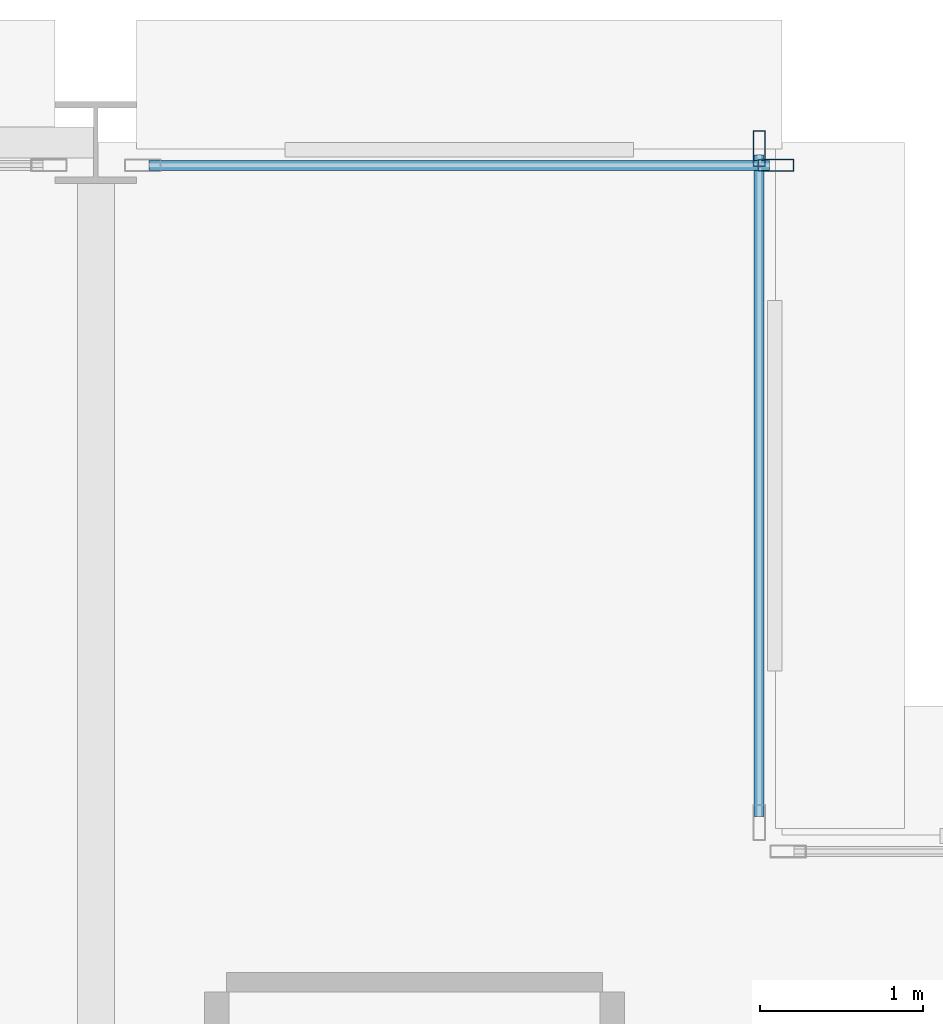
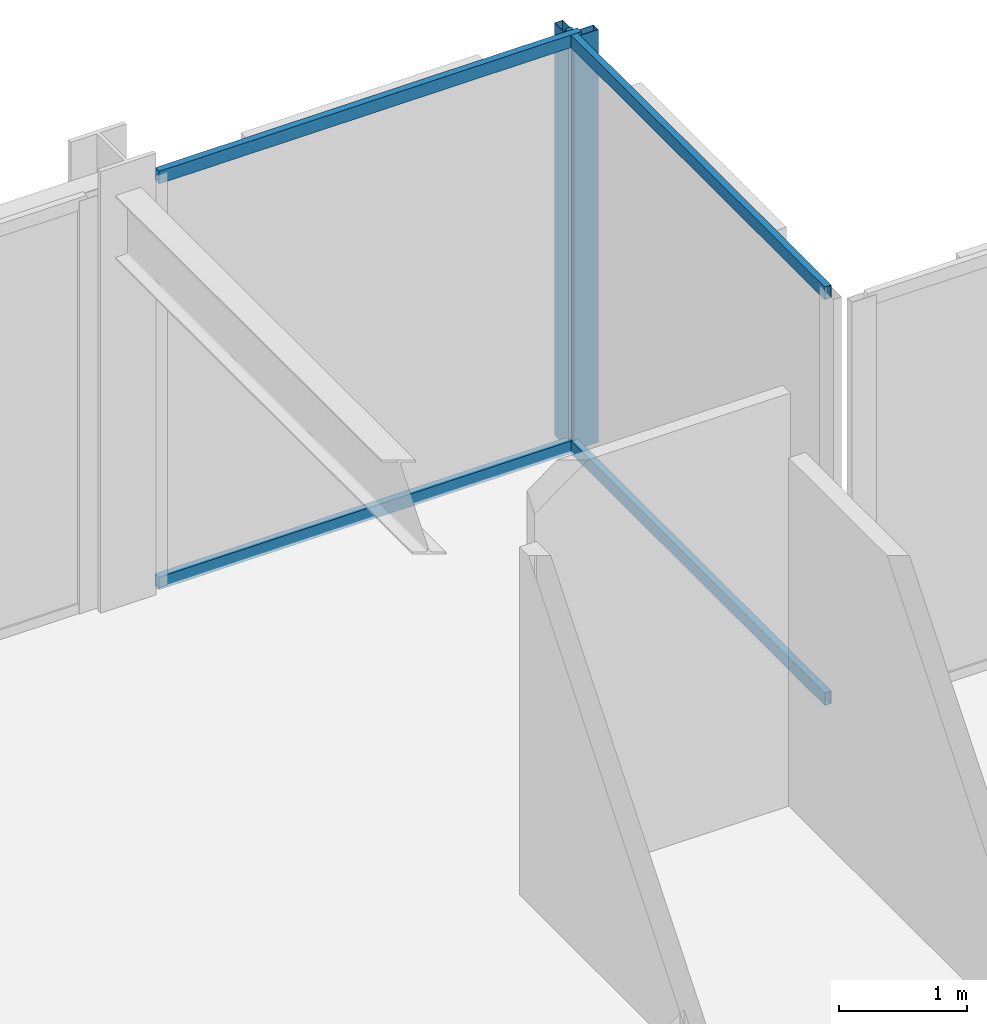
# One storey, part 18 of 25: 6 members, 2 elements without a shape of their own.
"""IFC4 building model written with IfcOpenShell, lengths in metres."""

import ifcopenshell
import ifcopenshell.guid

model = None  # the IFC model being written
_history = None  # IfcOwnerHistory: only IFC2X3 demands one
_inside = {}  # id of a spatial element -> (the spatial element, [elements in it])
_under = {}  # id of a project, library or spatial element -> (it, [spatial elements below it])
_declared = {}  # id of a project -> (the project, [libraries it declares])
_typed = {}  # id of a type object -> (the type object, [elements of that type])
_made_of = {}  # id of a material, layer set ... -> (it, [elements and type objects made of it])


def new_model(schema):
    """Start an empty IFC model of exactly this schema.

    Asked for "IFC4X3", IfcOpenShell would pick the latest addendum, in which some entities
    have other attributes; the version numbers below select the first issue.
    IFC2X3 requires an IfcOwnerHistory on every rooted entity: one is made here for all.
    """
    global model, _history
    if schema == "IFC4X3":
        model = ifcopenshell.file(schema_version=(4, 3, 0, 0))
    else:
        model = ifcopenshell.file(schema=schema)
    _inside.clear()
    _under.clear()
    _declared.clear()
    _typed.clear()
    _made_of.clear()
    _history = None
    if model.schema == "IFC2X3":
        org = make("IfcOrganization", Name="unknown")
        user = make(
            "IfcPersonAndOrganization",
            ThePerson=make("IfcPerson", FamilyName="unknown"),
            TheOrganization=org,
        )
        app = make(
            "IfcApplication",
            ApplicationDeveloper=org,
            Version="unknown",
            ApplicationFullName="unknown",
            ApplicationIdentifier="unknown",
        )
        _history = make(
            "IfcOwnerHistory",
            OwningUser=user,
            OwningApplication=app,
            ChangeAction="ADDED",
            CreationDate=0,
        )
    return model


def make(cls, **values):
    """One entity of the class cls with the attributes given. An attribute that is None is left unset."""
    return model.create_entity(
        cls, **{name: value for name, value in values.items() if value is not None}
    )


def rooted(cls, **values):
    """An entity with a GlobalId (a new one), such as an element, a storey or a relation."""
    return make(cls, GlobalId=ifcopenshell.guid.new(), OwnerHistory=_history, **values)


def si_unit(unit_type, name, prefix=None):
    """IfcSIUnit, for example si_unit("LENGTHUNIT", "METRE", prefix="MILLI")."""
    return make("IfcSIUnit", UnitType=unit_type, Prefix=prefix, Name=name)


def assignment(units):
    """IfcUnitAssignment: the units of a project."""
    return None if units is None else make("IfcUnitAssignment", Units=units)


def point(xyz):
    """IfcCartesianPoint."""
    return None if xyz is None else make("IfcCartesianPoint", Coordinates=xyz)


def direction(xyz):
    """IfcDirection."""
    return None if xyz is None else make("IfcDirection", DirectionRatios=xyz)


def frame(location, z_axis=None, x_axis=None):
    """IfcAxis2Placement3D, a coordinate frame: its origin and axes. An axis left out is left unset."""
    return make(
        "IfcAxis2Placement3D",
        Location=point(location),
        Axis=direction(z_axis),
        RefDirection=direction(x_axis),
    )


def frame_2d(location, x_axis=None):
    """IfcAxis2Placement2D, a coordinate frame in the plane: its origin and x axis."""
    return make(
        "IfcAxis2Placement2D", Location=point(location), RefDirection=direction(x_axis)
    )


def origin():
    """The frame at (0, 0, 0) with its axes left unset."""
    return frame((0.0, 0.0, 0.0))


def origin_2d():
    """The frame at (0, 0) in the plane with its x axis left unset."""
    return frame_2d((0.0, 0.0))


def place(relative_to, where):
    """IfcLocalPlacement: puts the frame where relative to a parent placement (None: the world)."""
    return make(
        "IfcLocalPlacement", PlacementRelTo=relative_to, RelativePlacement=where
    )


def context(
    kind, dimensions, precision=None, world=None, true_north=None, identifier=None
):
    """IfcGeometricRepresentationContext, for example the 3D "Model" context."""
    return make(
        "IfcGeometricRepresentationContext",
        ContextIdentifier=identifier,
        ContextType=kind,
        CoordinateSpaceDimension=dimensions,
        Precision=precision,
        WorldCoordinateSystem=world,
        TrueNorth=true_north,
    )


def subcontext(parent, identifier, kind, view, scale=None):
    """IfcGeometricRepresentationSubContext, for example "Body" below "Model"."""
    return make(
        "IfcGeometricRepresentationSubContext",
        ContextIdentifier=identifier,
        ContextType=kind,
        ParentContext=parent,
        TargetScale=scale,
        TargetView=view,
    )


def project(units=None, contexts=None):
    """IfcProject with its units and contexts."""
    return rooted(
        "IfcProject",
        Name="project",
        RepresentationContexts=contexts,
        UnitsInContext=assignment(units),
    )


def spatial(cls, under=None, at=None, **own):
    """A site, building, storey or space (cls), placed at a placement, below another one or the project."""
    s = rooted(cls, ObjectPlacement=at, **own)
    if under is not None:
        _under.setdefault(under.id(), (under, []))[1].append(s)
    return s


def profile(cls, at=None, kind="AREA", **sizes):
    """A parametric profile (cls). Its sizes go by their IFC names, for example OverallWidth=200.0."""
    return make(cls, ProfileType=kind, Position=at, **sizes)


def hollow_rectangle(**sizes):
    """IfcRectangleHollowProfileDef."""
    return profile("IfcRectangleHollowProfileDef", **sizes)


def extrude(swept, where, along, depth):
    """IfcExtrudedAreaSolid: the profile swept, set in the frame where, extruded along a direction by depth."""
    return make(
        "IfcExtrudedAreaSolid",
        SweptArea=swept,
        Position=where,
        ExtrudedDirection=direction(along),
        Depth=depth,
    )


def shape(context_of_items, identifier, shape_type, items):
    """IfcShapeRepresentation: the items that make up one representation, for example the "Body"."""
    return make(
        "IfcShapeRepresentation",
        ContextOfItems=context_of_items,
        RepresentationIdentifier=identifier,
        RepresentationType=shape_type,
        Items=items,
    )


def material(Name=None, Category=None):
    """IfcMaterial."""
    return make("IfcMaterial", Name=Name, Category=Category)


def layer(
    of_material, thickness, ventilated=None, Name=None, Category=None, Priority=None
):
    """IfcMaterialLayer: one layer of a wall or slab, of a material (None: an air gap)."""
    return make(
        "IfcMaterialLayer",
        Material=of_material,
        LayerThickness=thickness,
        IsVentilated=ventilated,
        Name=Name,
        Category=Category,
        Priority=Priority,
    )


def layer_set(layers, Name=None):
    """IfcMaterialLayerSet."""
    return make("IfcMaterialLayerSet", MaterialLayers=layers, LayerSetName=Name)


def material_profile(
    of_material, cross_section, Name=None, Category=None, Priority=None
):
    """IfcMaterialProfile: a cross section and its material."""
    return make(
        "IfcMaterialProfile",
        Name=Name,
        Material=of_material,
        Profile=cross_section,
        Priority=Priority,
        Category=Category,
    )


def profile_set(profiles, Name=None, composite=None):
    """IfcMaterialProfileSet."""
    return make(
        "IfcMaterialProfileSet",
        Name=Name,
        MaterialProfiles=profiles,
        CompositeProfile=composite,
    )


def made_of(thing, what):
    """Note that an element or type object is made of a material, layer set ...; save() writes the relation."""
    if what is not None:
        _made_of.setdefault(what.id(), (what, []))[1].append(thing)
    return thing


def type_object(cls, material=None, **own):
    """A type object (cls), such as IfcWallType, which elements share."""
    return made_of(rooted(cls, **own), material)


def element(
    cls,
    number,
    at=None,
    inside=None,
    cuts=None,
    type_object=None,
    material=None,
    context=None,
    identifier="Body",
    shape_type=None,
    held_by="IfcProductDefinitionShape",
    body=None,
    shapes=None,
    **own,
):
    """One element of the class cls, such as IfcWall. Its Tag is "e" and its number.

    at: its placement. inside: the storey or other place that contains it. cuts: it is an
    opening in that element (IfcRelVoidsElement). A single representation is given by context,
    identifier, shape_type and body (its items); several are given by shapes. held_by: the class
    of the entity that holds the representations. save() writes the other relations.
    """
    e = rooted(cls, Tag="e%d" % number, ObjectPlacement=at, **own)
    if body is not None:
        shapes = [shape(context, identifier, shape_type, body)]
    if shapes is not None:
        e.Representation = make(held_by, Representations=shapes)
    if inside is not None:
        _inside.setdefault(inside.id(), (inside, []))[1].append(e)
    if cuts is not None:
        rooted(
            "IfcRelVoidsElement", RelatingBuildingElement=cuts, RelatedOpeningElement=e
        )
    if type_object is not None:
        _typed.setdefault(type_object.id(), (type_object, []))[1].append(e)
    return made_of(e, material)


def aggregate(whole, parts):
    """IfcRelAggregates: a whole, such as a stair, and the parts it consists of."""
    return rooted("IfcRelAggregates", RelatingObject=whole, RelatedObjects=parts)


def save(model, path):
    """Write the relations noted so far, then the file.

    IfcRelAggregates (storeys below a building ...), IfcRelContainedInSpatialStructure (elements
    in a storey), IfcRelDefinesByType, IfcRelAssociatesMaterial and IfcRelDeclares: one each for
    every whole, place, type object, material and project.
    """
    for whole, parts in _under.values():
        aggregate(whole, parts)
    for where, things in _inside.values():
        rooted(
            "IfcRelContainedInSpatialStructure",
            RelatedElements=things,
            RelatingStructure=where,
        )
    for kind, things in _typed.values():
        rooted("IfcRelDefinesByType", RelatedObjects=things, RelatingType=kind)
    for what, things in _made_of.values():
        rooted("IfcRelAssociatesMaterial", RelatedObjects=things, RelatingMaterial=what)
    for by, libraries in _declared.values():
        rooted("IfcRelDeclares", RelatingContext=by, RelatedDefinitions=libraries)
    model.write(path)


model = new_model("IFC4")

# Units and contexts
model_context = context("Model", 3, precision=1e-05, world=origin(), true_north=direction((0.0, 1.0)))
body_context = subcontext(model_context, "Body", "Model", "MODEL_VIEW")
ifc_project = project(units=[si_unit("LENGTHUNIT", "METRE"), si_unit("AREAUNIT", "SQUARE_METRE"), si_unit("VOLUMEUNIT", "CUBIC_METRE"), si_unit("PLANEANGLEUNIT", "RADIAN"), si_unit("MASSUNIT", "GRAM", prefix="KILO")], contexts=[model_context])

# Site, building, storey
site_placement = place(None, origin())
site = spatial("IfcSite", under=ifc_project, at=site_placement, CompositionType="ELEMENT")
building_placement = place(site_placement, origin())
building = spatial("IfcBuilding", under=site, at=building_placement, Name="Nerrivon Quay Data Exchange", CompositionType="ELEMENT")
storey_placement = place(building_placement, frame((0.0, 0.0, 29.0)))
storey = spatial("IfcBuildingStorey", under=building, at=storey_placement, Name="L06", CompositionType="ELEMENT", Elevation=29.0)

# Curtain wall, member
ifc_material = material(Name="Anodised aluminium 6063-T6", Category="aluminium")
ifc_layer = layer(ifc_material, 0.219970703125)
ifc_layer_set = layer_set([ifc_layer], Name="Anodised aluminium 6063-T6")
curtain_wall_type = type_object("IfcCurtainWallType", Name="CW-SYS-01", PredefinedType="NOTDEFINED", material=ifc_layer_set)
curtain_wall_1_placement = place(storey_placement, origin())
curtain_wall_1 = element("IfcCurtainWall", 1, at=curtain_wall_1_placement, inside=storey, type_object=curtain_wall_type, Name="L06 Unitised Curtain Wall 22", PredefinedType="NOTDEFINED")
ifc_material_profile_1 = material_profile(ifc_material, hollow_rectangle(XDim=0.074951171875, YDim=0.219970703125, WallThickness=0.00390625, at=origin_2d()), Name="ALU-MULL-220x75")
ifc_profile_set_1 = profile_set([ifc_material_profile_1], Name="Anodised aluminium 6063-T6")
member_type_1 = type_object("IfcMemberType", Name="CWM-220x75", PredefinedType="MULLION", material=ifc_profile_set_1)
member_1_placement = place(storey_placement, frame((20.96240234375, 50.260009765625, 0.0), z_axis=(0.0, 0.0, 1.0), x_axis=(0.0, 1.0, 0.0)))
member_1 = element("IfcMember", 2, at=member_1_placement, type_object=member_type_1, Name="CW01 mullion 2", PredefinedType="MULLION", context=body_context, shape_type="SweptSolid", body=[
    extrude(hollow_rectangle(XDim=0.074951171875, YDim=0.219970703125, WallThickness=0.00390625, at=origin_2d()), origin(), (0.0, 0.0, 1.0), 3.925048828125),
])

curtain_wall_2_placement = place(storey_placement, origin())
curtain_wall_2 = element("IfcCurtainWall", 3, at=curtain_wall_2_placement, inside=storey, type_object=curtain_wall_type, Name="L06 Unitised Curtain Wall 23", PredefinedType="NOTDEFINED")
member_2_placement = place(storey_placement, frame((20.860107421875, 50.362548828125, 0.0), z_axis=(0.0, 0.0, 1.0), x_axis=(1.0, 0.0, 0.0)))
member_2 = element("IfcMember", 4, at=member_2_placement, type_object=member_type_1, Name="CW01 mullion 1", PredefinedType="MULLION", context=body_context, shape_type="SweptSolid", body=[
    extrude(hollow_rectangle(XDim=0.074951171875, YDim=0.219970703125, WallThickness=0.00390625, at=origin_2d()), origin(), (0.0, 0.0, 1.0), 3.925048828125),
])

# Member
ifc_material_profile_2 = material_profile(ifc_material, hollow_rectangle(XDim=0.06005859375, YDim=0.1201171875, WallThickness=0.003173828125, at=origin_2d()), Name="ALU-TRAN-120x60")
ifc_profile_set_2 = profile_set([ifc_material_profile_2], Name="Anodised aluminium 6063-T6")
member_type_2 = type_object("IfcMemberType", Name="CWT-120x60", PredefinedType="USERDEFINED", material=ifc_profile_set_2)
member_3_placement = place(storey_placement, frame((17.125, 50.260009765625, 0.032470703125), z_axis=(1.0, 0.0, 0.0), x_axis=(0.0, 1.0, 0.0)))
member_3 = element("IfcMember", 5, at=member_3_placement, type_object=member_type_2, Name="CW01 transom 1.1", ObjectType="TRANSOM", PredefinedType="USERDEFINED", context=body_context, shape_type="SweptSolid", body=[
    extrude(hollow_rectangle(XDim=0.06005859375, YDim=0.1201171875, WallThickness=0.003173828125, at=origin_2d()), origin(), (0.0, 0.0, 1.0), 3.800048828125),
])

member_4_placement = place(storey_placement, frame((17.125, 50.260009765625, 3.892578125), z_axis=(1.0, 0.0, 0.0), x_axis=(0.0, 1.0, 0.0)))
member_4 = element("IfcMember", 6, at=member_4_placement, type_object=member_type_2, Name="CW01 transom 1.2", ObjectType="TRANSOM", PredefinedType="USERDEFINED", context=body_context, shape_type="SweptSolid", body=[
    extrude(hollow_rectangle(XDim=0.06005859375, YDim=0.1201171875, WallThickness=0.003173828125, at=origin_2d()), origin(), (0.0, 0.0, 1.0), 3.800048828125),
])

aggregate(curtain_wall_1, [member_1, member_3, member_4])

member_5_placement = place(storey_placement, frame((20.860107421875, 50.324951171875, 0.032470703125), z_axis=(0.0, -1.0, 0.0), x_axis=(1.0, 0.0, 0.0)))
member_5 = element("IfcMember", 7, at=member_5_placement, type_object=member_type_2, Name="CW01 transom 1.1", ObjectType="TRANSOM", PredefinedType="USERDEFINED", context=body_context, shape_type="SweptSolid", body=[
    extrude(hollow_rectangle(XDim=0.06005859375, YDim=0.1201171875, WallThickness=0.003173828125, at=origin_2d()), origin(), (0.0, 0.0, 1.0), 4.050048828125),
])

member_6_placement = place(storey_placement, frame((20.860107421875, 50.324951171875, 3.892578125), z_axis=(0.0, -1.0, 0.0), x_axis=(1.0, 0.0, 0.0)))
member_6 = element("IfcMember", 8, at=member_6_placement, type_object=member_type_2, Name="CW01 transom 1.2", ObjectType="TRANSOM", PredefinedType="USERDEFINED", context=body_context, shape_type="SweptSolid", body=[
    extrude(hollow_rectangle(XDim=0.06005859375, YDim=0.1201171875, WallThickness=0.003173828125, at=origin_2d()), origin(), (0.0, 0.0, 1.0), 4.050048828125),
])

aggregate(curtain_wall_2, [member_2, member_5, member_6])

save(model, "model.ifc")
